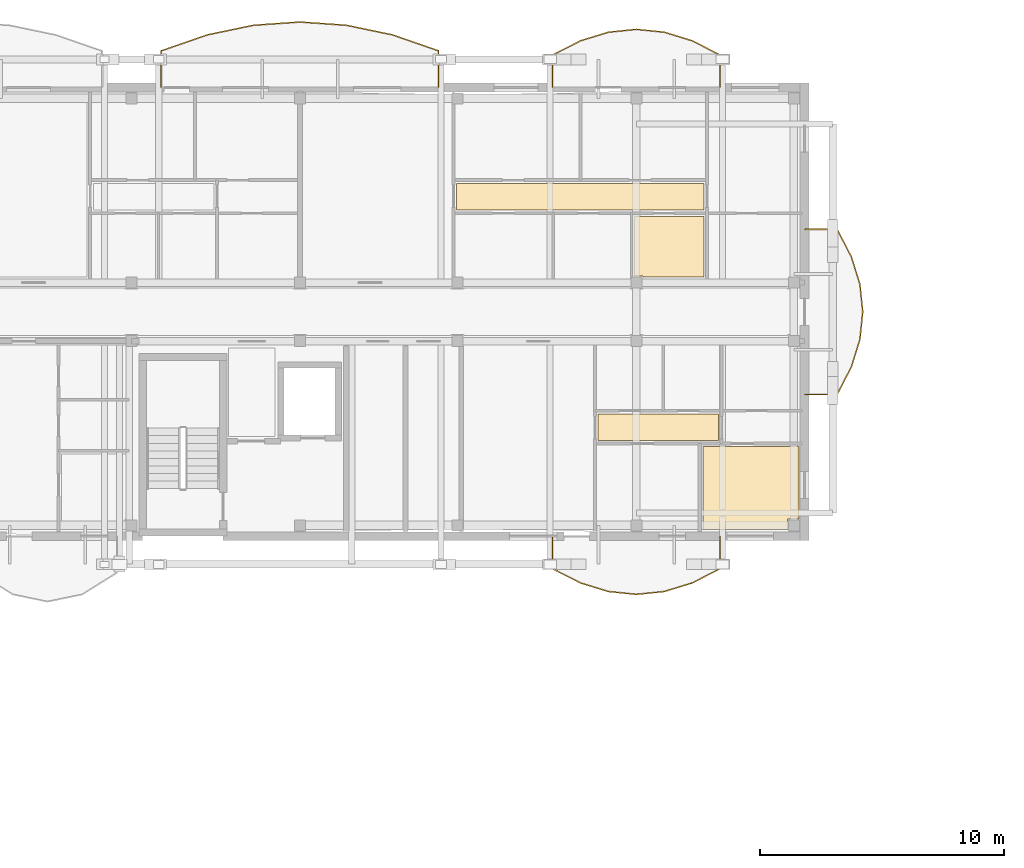
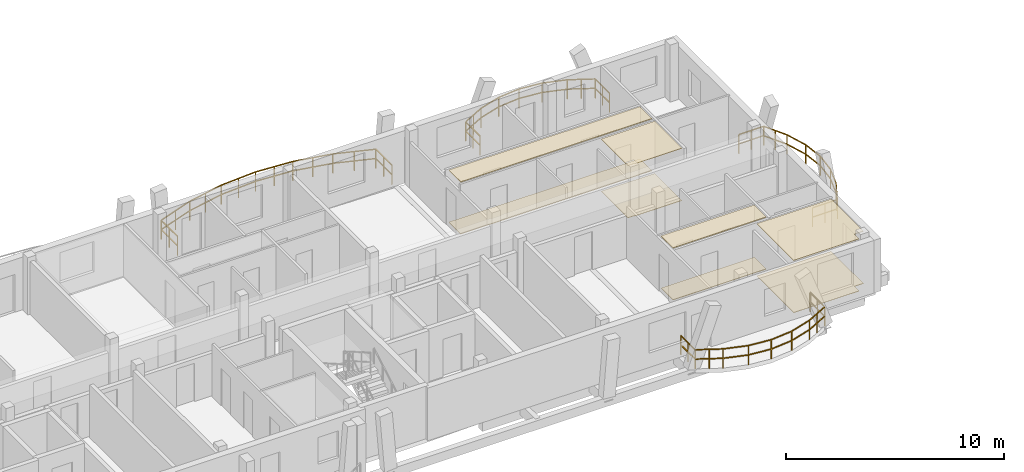
# One storey, part 43 of 48: 8 coverings, 4 railings.
"""IFC4 building model written with IfcOpenShell, lengths in metres."""

import ifcopenshell
import ifcopenshell.guid

model = None  # the IFC model being written
_history = None  # IfcOwnerHistory: only IFC2X3 demands one
_inside = {}  # id of a spatial element -> (the spatial element, [elements in it])
_under = {}  # id of a project, library or spatial element -> (it, [spatial elements below it])
_declared = {}  # id of a project -> (the project, [libraries it declares])
_typed = {}  # id of a type object -> (the type object, [elements of that type])
_made_of = {}  # id of a material, layer set ... -> (it, [elements and type objects made of it])


def new_model(schema):
    """Start an empty IFC model of exactly this schema.

    Asked for "IFC4X3", IfcOpenShell would pick the latest addendum, in which some entities
    have other attributes; the version numbers below select the first issue.
    IFC2X3 requires an IfcOwnerHistory on every rooted entity: one is made here for all.
    """
    global model, _history
    if schema == "IFC4X3":
        model = ifcopenshell.file(schema_version=(4, 3, 0, 0))
    else:
        model = ifcopenshell.file(schema=schema)
    _inside.clear()
    _under.clear()
    _declared.clear()
    _typed.clear()
    _made_of.clear()
    _history = None
    if model.schema == "IFC2X3":
        org = make("IfcOrganization", Name="unknown")
        user = make(
            "IfcPersonAndOrganization",
            ThePerson=make("IfcPerson", FamilyName="unknown"),
            TheOrganization=org,
        )
        app = make(
            "IfcApplication",
            ApplicationDeveloper=org,
            Version="unknown",
            ApplicationFullName="unknown",
            ApplicationIdentifier="unknown",
        )
        _history = make(
            "IfcOwnerHistory",
            OwningUser=user,
            OwningApplication=app,
            ChangeAction="ADDED",
            CreationDate=0,
        )
    return model


def make(cls, **values):
    """One entity of the class cls with the attributes given. An attribute that is None is left unset."""
    return model.create_entity(
        cls, **{name: value for name, value in values.items() if value is not None}
    )


def rooted(cls, **values):
    """An entity with a GlobalId (a new one), such as an element, a storey or a relation."""
    return make(cls, GlobalId=ifcopenshell.guid.new(), OwnerHistory=_history, **values)


def si_unit(unit_type, name, prefix=None):
    """IfcSIUnit, for example si_unit("LENGTHUNIT", "METRE", prefix="MILLI")."""
    return make("IfcSIUnit", UnitType=unit_type, Prefix=prefix, Name=name)


def assignment(units):
    """IfcUnitAssignment: the units of a project."""
    return None if units is None else make("IfcUnitAssignment", Units=units)


def point(xyz):
    """IfcCartesianPoint."""
    return None if xyz is None else make("IfcCartesianPoint", Coordinates=xyz)


def direction(xyz):
    """IfcDirection."""
    return None if xyz is None else make("IfcDirection", DirectionRatios=xyz)


def frame(location, z_axis=None, x_axis=None):
    """IfcAxis2Placement3D, a coordinate frame: its origin and axes. An axis left out is left unset."""
    return make(
        "IfcAxis2Placement3D",
        Location=point(location),
        Axis=direction(z_axis),
        RefDirection=direction(x_axis),
    )


def frame_2d(location, x_axis=None):
    """IfcAxis2Placement2D, a coordinate frame in the plane: its origin and x axis."""
    return make(
        "IfcAxis2Placement2D", Location=point(location), RefDirection=direction(x_axis)
    )


def origin():
    """The frame at (0, 0, 0) with its axes left unset."""
    return frame((0.0, 0.0, 0.0))


def origin_2d():
    """The frame at (0, 0) in the plane with its x axis left unset."""
    return frame_2d((0.0, 0.0))


def place(relative_to, where):
    """IfcLocalPlacement: puts the frame where relative to a parent placement (None: the world)."""
    return make(
        "IfcLocalPlacement", PlacementRelTo=relative_to, RelativePlacement=where
    )


def context(
    kind, dimensions, precision=None, world=None, true_north=None, identifier=None
):
    """IfcGeometricRepresentationContext, for example the 3D "Model" context."""
    return make(
        "IfcGeometricRepresentationContext",
        ContextIdentifier=identifier,
        ContextType=kind,
        CoordinateSpaceDimension=dimensions,
        Precision=precision,
        WorldCoordinateSystem=world,
        TrueNorth=true_north,
    )


def subcontext(parent, identifier, kind, view, scale=None):
    """IfcGeometricRepresentationSubContext, for example "Body" below "Model"."""
    return make(
        "IfcGeometricRepresentationSubContext",
        ContextIdentifier=identifier,
        ContextType=kind,
        ParentContext=parent,
        TargetScale=scale,
        TargetView=view,
    )


def project(units=None, contexts=None):
    """IfcProject with its units and contexts."""
    return rooted(
        "IfcProject",
        Name="project",
        RepresentationContexts=contexts,
        UnitsInContext=assignment(units),
    )


def spatial(cls, under=None, at=None, **own):
    """A site, building, storey or space (cls), placed at a placement, below another one or the project."""
    s = rooted(cls, ObjectPlacement=at, **own)
    if under is not None:
        _under.setdefault(under.id(), (under, []))[1].append(s)
    return s


def polyline(points):
    """IfcPolyline through the points."""
    return make("IfcPolyline", Points=[point(p) for p in points])


def profile(cls, at=None, kind="AREA", **sizes):
    """A parametric profile (cls). Its sizes go by their IFC names, for example OverallWidth=200.0."""
    return make(cls, ProfileType=kind, Position=at, **sizes)


def rectangle(**sizes):
    """IfcRectangleProfileDef."""
    return profile("IfcRectangleProfileDef", **sizes)


def outline(outer, holes=None, kind="AREA"):
    """IfcArbitraryClosedProfileDef: a profile drawn as a closed curve; with holes, ...WithVoids."""
    if holes is None:
        return make("IfcArbitraryClosedProfileDef", ProfileType=kind, OuterCurve=outer)
    return make(
        "IfcArbitraryProfileDefWithVoids",
        ProfileType=kind,
        OuterCurve=outer,
        InnerCurves=holes,
    )


def extrude(swept, where, along, depth):
    """IfcExtrudedAreaSolid: the profile swept, set in the frame where, extruded along a direction by depth."""
    return make(
        "IfcExtrudedAreaSolid",
        SweptArea=swept,
        Position=where,
        ExtrudedDirection=direction(along),
        Depth=depth,
    )


def shape(context_of_items, identifier, shape_type, items):
    """IfcShapeRepresentation: the items that make up one representation, for example the "Body"."""
    return make(
        "IfcShapeRepresentation",
        ContextOfItems=context_of_items,
        RepresentationIdentifier=identifier,
        RepresentationType=shape_type,
        Items=items,
    )


def material(Name=None, Category=None):
    """IfcMaterial."""
    return make("IfcMaterial", Name=Name, Category=Category)


def layer(
    of_material, thickness, ventilated=None, Name=None, Category=None, Priority=None
):
    """IfcMaterialLayer: one layer of a wall or slab, of a material (None: an air gap)."""
    return make(
        "IfcMaterialLayer",
        Material=of_material,
        LayerThickness=thickness,
        IsVentilated=ventilated,
        Name=Name,
        Category=Category,
        Priority=Priority,
    )


def layer_set(layers, Name=None):
    """IfcMaterialLayerSet."""
    return make("IfcMaterialLayerSet", MaterialLayers=layers, LayerSetName=Name)


def made_of(thing, what):
    """Note that an element or type object is made of a material, layer set ...; save() writes the relation."""
    if what is not None:
        _made_of.setdefault(what.id(), (what, []))[1].append(thing)
    return thing


def type_object(cls, material=None, **own):
    """A type object (cls), such as IfcWallType, which elements share."""
    return made_of(rooted(cls, **own), material)


def element(
    cls,
    number,
    at=None,
    inside=None,
    cuts=None,
    type_object=None,
    material=None,
    context=None,
    identifier="Body",
    shape_type=None,
    held_by="IfcProductDefinitionShape",
    body=None,
    shapes=None,
    **own,
):
    """One element of the class cls, such as IfcWall. Its Tag is "e" and its number.

    at: its placement. inside: the storey or other place that contains it. cuts: it is an
    opening in that element (IfcRelVoidsElement). A single representation is given by context,
    identifier, shape_type and body (its items); several are given by shapes. held_by: the class
    of the entity that holds the representations. save() writes the other relations.
    """
    e = rooted(cls, Tag="e%d" % number, ObjectPlacement=at, **own)
    if body is not None:
        shapes = [shape(context, identifier, shape_type, body)]
    if shapes is not None:
        e.Representation = make(held_by, Representations=shapes)
    if inside is not None:
        _inside.setdefault(inside.id(), (inside, []))[1].append(e)
    if cuts is not None:
        rooted(
            "IfcRelVoidsElement", RelatingBuildingElement=cuts, RelatedOpeningElement=e
        )
    if type_object is not None:
        _typed.setdefault(type_object.id(), (type_object, []))[1].append(e)
    return made_of(e, material)


def aggregate(whole, parts):
    """IfcRelAggregates: a whole, such as a stair, and the parts it consists of."""
    return rooted("IfcRelAggregates", RelatingObject=whole, RelatedObjects=parts)


def save(model, path):
    """Write the relations noted so far, then the file.

    IfcRelAggregates (storeys below a building ...), IfcRelContainedInSpatialStructure (elements
    in a storey), IfcRelDefinesByType, IfcRelAssociatesMaterial and IfcRelDeclares: one each for
    every whole, place, type object, material and project.
    """
    for whole, parts in _under.values():
        aggregate(whole, parts)
    for where, things in _inside.values():
        rooted(
            "IfcRelContainedInSpatialStructure",
            RelatedElements=things,
            RelatingStructure=where,
        )
    for kind, things in _typed.values():
        rooted("IfcRelDefinesByType", RelatedObjects=things, RelatingType=kind)
    for what, things in _made_of.values():
        rooted("IfcRelAssociatesMaterial", RelatedObjects=things, RelatingMaterial=what)
    for by, libraries in _declared.values():
        rooted("IfcRelDeclares", RelatingContext=by, RelatedDefinitions=libraries)
    model.write(path)


model = new_model("IFC4")

# Units and contexts
model_context = context("Model", 3, precision=1e-05, world=origin(), true_north=direction((0.0, 1.0)))
body_context = subcontext(model_context, "Body", "Model", "MODEL_VIEW")
ifc_project = project(units=[si_unit("LENGTHUNIT", "METRE"), si_unit("AREAUNIT", "SQUARE_METRE"), si_unit("VOLUMEUNIT", "CUBIC_METRE"), si_unit("PLANEANGLEUNIT", "RADIAN"), si_unit("MASSUNIT", "GRAM", prefix="KILO")], contexts=[model_context])

# Site, building, storey
site_placement = place(None, origin())
site = spatial("IfcSite", under=ifc_project, at=site_placement, CompositionType="ELEMENT")
building_placement = place(site_placement, origin())
building = spatial("IfcBuilding", under=site, at=building_placement, Name="Zavelmont Quarter", CompositionType="ELEMENT")
storey_placement = place(building_placement, frame((0.0, 0.0, 17.60009765625)))
storey = spatial("IfcBuildingStorey", under=building, at=storey_placement, Name="L05", CompositionType="ELEMENT", Elevation=17.60009765625)

# Coverings
ifc_material_1 = material(Name="Perforated acoustic gypsum board")
ifc_layer_1 = layer(ifc_material_1, 0.02490234375)
ifc_layer_set_1 = layer_set([ifc_layer_1], Name="Perforated acoustic gypsum board")
covering_type_1 = type_object("IfcCoveringType", Name="CV-CL01", PredefinedType="CEILING", material=ifc_layer_set_1)
covering_1_placement = place(storey_placement, frame((0.0, 0.0, 2.9248046875)))
element("IfcCovering", 1, at=covering_1_placement, inside=storey, type_object=covering_type_1, Name="L05 Utility Laundry acoustic ceiling", PredefinedType="CEILING", context=body_context, shape_type="SweptSolid", body=[
    extrude(outline(polyline([(48.22998046875, 110.719970703125), (51.070068359375, 110.719970703125), (51.070068359375, 108.22998046875), (48.56494140625, 108.22998046875), (48.56494140625, 108.264892578125), (48.22998046875, 108.264892578125), (48.22998046875, 110.719970703125)])), origin(), (0.0, 0.0, 1.0), 0.025146484375),
])
covering_2_placement = place(storey_placement, frame((0.0, 0.0, 2.9248046875)))
element("IfcCovering", 2, at=covering_2_placement, inside=storey, type_object=covering_type_1, Name="L05 Double Bedroom acoustic ceiling", PredefinedType="CEILING", context=body_context, shape_type="SweptSolid", body=[
    extrude(outline(polyline([(51.030029296875, 101.27001953125), (54.969970703125, 101.27001953125), (54.969970703125, 98.304931640625), (54.4951171875, 98.304931640625), (54.4951171875, 97.8798828125), (51.030029296875, 97.8798828125), (51.030029296875, 101.27001953125)])), origin(), (0.0, 0.0, 1.0), 0.025146484375),
])
ifc_material_2 = material(Name="Slatted European ash acoustic baffle ceiling")
ifc_layer_2 = layer(ifc_material_2, 0.0400390625)
ifc_layer_set_2 = layer_set([ifc_layer_2], Name="Slatted European ash acoustic baffle ceiling")
covering_type_2 = type_object("IfcCoveringType", Name="CV-CL02", PredefinedType="CEILING", material=ifc_layer_set_2)
covering_3_placement = place(storey_placement, frame((0.0, 0.0, 2.909912109375)))
element("IfcCovering", 3, at=covering_3_placement, inside=storey, type_object=covering_type_2, Name="L05 Apartment Hall acoustic ceiling", PredefinedType="CEILING", context=body_context, shape_type="SweptSolid", body=[
    extrude(outline(polyline([(40.929931640625, 112.070068359375), (51.070068359375, 112.070068359375), (51.070068359375, 110.97998046875), (40.929931640625, 110.97998046875), (40.929931640625, 112.070068359375)])), origin(), (0.0, 0.0, 1.0), 0.0400390625),
])
covering_4_placement = place(storey_placement, frame((0.0, 0.0, 2.909912109375)))
element("IfcCovering", 4, at=covering_4_placement, inside=storey, type_object=covering_type_2, Name="L05 Apartment Hall acoustic ceiling", PredefinedType="CEILING", context=body_context, shape_type="SweptSolid", body=[
    extrude(outline(polyline([(46.72998046875, 102.6201171875), (51.669921875, 102.6201171875), (51.669921875, 101.530029296875), (46.72998046875, 101.530029296875), (46.72998046875, 102.6201171875)])), origin(), (0.0, 0.0, 1.0), 0.0400390625),
])
ifc_material_3 = material(Name="Engineered European oak parquet")
ifc_layer_3 = layer(ifc_material_3, 0.02197265625)
ifc_layer_set_3 = layer_set([ifc_layer_3], Name="Engineered European oak parquet")
covering_type_3 = type_object("IfcCoveringType", Name="CV-FL01", PredefinedType="FLOORING", material=ifc_layer_set_3)
covering_5_placement = place(storey_placement, origin())
element("IfcCovering", 5, at=covering_5_placement, inside=storey, type_object=covering_type_3, Name="L05 Utility Laundry floor finish", PredefinedType="FLOORING", context=body_context, shape_type="SweptSolid", body=[
    extrude(outline(polyline([(48.22998046875, 110.719970703125), (51.070068359375, 110.719970703125), (51.070068359375, 108.22998046875), (48.56494140625, 108.22998046875), (48.56494140625, 108.264892578125), (48.22998046875, 108.264892578125), (48.22998046875, 110.719970703125)])), origin(), (0.0, 0.0, 1.0), 0.02197265625),
])
covering_6_placement = place(storey_placement, origin())
element("IfcCovering", 6, at=covering_6_placement, inside=storey, type_object=covering_type_3, Name="L05 Double Bedroom floor finish", PredefinedType="FLOORING", context=body_context, shape_type="SweptSolid", body=[
    extrude(outline(polyline([(51.030029296875, 101.27001953125), (54.969970703125, 101.27001953125), (54.969970703125, 98.304931640625), (54.4951171875, 98.304931640625), (54.4951171875, 97.8798828125), (51.030029296875, 97.8798828125), (51.030029296875, 101.27001953125)])), origin(), (0.0, 0.0, 1.0), 0.02197265625),
])
ifc_material_4 = material(Name="Honed Belgian bluestone tile", Category="masonry")
ifc_layer_4 = layer(ifc_material_4, 0.030029296875)
ifc_layer_set_4 = layer_set([ifc_layer_4], Name="Honed Belgian bluestone tile")
covering_type_4 = type_object("IfcCoveringType", Name="CV-FL02", PredefinedType="FLOORING", material=ifc_layer_set_4)
covering_7_placement = place(storey_placement, origin())
element("IfcCovering", 7, at=covering_7_placement, inside=storey, type_object=covering_type_4, Name="L05 Apartment Hall floor finish", PredefinedType="FLOORING", context=body_context, shape_type="SweptSolid", body=[
    extrude(outline(polyline([(40.929931640625, 112.070068359375), (51.070068359375, 112.070068359375), (51.070068359375, 110.97998046875), (40.929931640625, 110.97998046875), (40.929931640625, 112.070068359375)])), origin(), (0.0, 0.0, 1.0), 0.02978515625),
])
covering_8_placement = place(storey_placement, origin())
element("IfcCovering", 8, at=covering_8_placement, inside=storey, type_object=covering_type_4, Name="L05 Apartment Hall floor finish", PredefinedType="FLOORING", context=body_context, shape_type="SweptSolid", body=[
    extrude(outline(polyline([(46.72998046875, 102.6201171875), (51.669921875, 102.6201171875), (51.669921875, 101.530029296875), (46.72998046875, 101.530029296875), (46.72998046875, 102.6201171875)])), origin(), (0.0, 0.0, 1.0), 0.02978515625),
])

# Railings
ifc_material_5 = material(Name="Powder-coated steel and tempered double safety glass", Category="steel")
railing_type = type_object("IfcRailingType", Name="RL-BAL1", PredefinedType="BALUSTRADE", material=ifc_material_5)
railing_1_placement = place(storey_placement, frame((40.190673828125, 116.02001953125, 0.0)))
element("IfcRailing", 9, at=railing_1_placement, inside=storey, type_object=railing_type, Name="L05 Block B curved balcony guard RL-BAL1", PredefinedType="BALUSTRADE", context=body_context, shape_type="SweptSolid", body=[
    extrude(rectangle(XDim=0.048095703125, YDim=0.048095703125, at=origin_2d()), frame((0.0, 0.0, 1.076171875), z_axis=(0.0, 1.0, 0.0), x_axis=(-1.0, 0.0, 0.0)), (0.0, 0.0, 1.0), 1.487060546875),
    extrude(rectangle(XDim=0.048095703125, YDim=0.048095703125, at=origin_2d()), frame((0.0, 0.0, 0.550048828125), z_axis=(0.0, 1.0, 0.0), x_axis=(-1.0, 0.0, 0.0)), (0.0, 0.0, 1.0), 1.487060546875),
    extrude(rectangle(XDim=0.048095703125, YDim=0.048095703125, at=origin_2d()), frame((0.0, 1.487060546875, 1.076171875), z_axis=(-0.944821144825, 0.327586636314, 0.0), x_axis=(-0.327586636314, -0.944821144825, 0.0)), (0.0, 0.0, 1.0), 2.0078125),
    extrude(rectangle(XDim=0.048095703125, YDim=0.048095703125, at=origin_2d()), frame((0.0, 1.487060546875, 0.550048828125), z_axis=(-0.944821144825, 0.327586636314, 0.0), x_axis=(-0.327586636314, -0.944821144825, 0.0)), (0.0, 0.0, 1.0), 2.0078125),
    extrude(rectangle(XDim=0.048095703125, YDim=0.048095703125, at=origin_2d()), frame((-1.89697265625, 2.144775390625, 1.076171875), z_axis=(-0.979044324856, 0.203647268499, 0.0), x_axis=(-0.203647268499, -0.979044324856, 0.0)), (0.0, 0.0, 1.0), 1.937255859375),
    extrude(rectangle(XDim=0.048095703125, YDim=0.048095703125, at=origin_2d()), frame((-1.89697265625, 2.144775390625, 0.550048828125), z_axis=(-0.979044324856, 0.203647268499, 0.0), x_axis=(-0.203647268499, -0.979044324856, 0.0)), (0.0, 0.0, 1.0), 1.937255859375),
    extrude(rectangle(XDim=0.048095703125, YDim=0.048095703125, at=origin_2d()), frame((-3.793701171875, 2.539306640625, 1.076171875), z_axis=(-0.997602594269, 0.069203062846, 0.0), x_axis=(-0.069203062846, -0.997602594269, 0.0)), (0.0, 0.0, 1.0), 1.901611328125),
    extrude(rectangle(XDim=0.048095703125, YDim=0.048095703125, at=origin_2d()), frame((-3.793701171875, 2.539306640625, 0.550048828125), z_axis=(-0.997602594269, 0.069203062846, 0.0), x_axis=(-0.069203062846, -0.997602594269, 0.0)), (0.0, 0.0, 1.0), 1.901611328125),
    extrude(rectangle(XDim=0.048095703125, YDim=0.048095703125, at=origin_2d()), frame((-5.690673828125, 2.6708984375, 1.076171875), z_axis=(-0.997602594269, -0.069203062846, 0.0), x_axis=(0.069203062846, -0.997602594269, 0.0)), (0.0, 0.0, 1.0), 1.901611328125),
    extrude(rectangle(XDim=0.048095703125, YDim=0.048095703125, at=origin_2d()), frame((-5.690673828125, 2.6708984375, 0.550048828125), z_axis=(-0.997602594269, -0.069203062846, 0.0), x_axis=(0.069203062846, -0.997602594269, 0.0)), (0.0, 0.0, 1.0), 1.901611328125),
    extrude(rectangle(XDim=0.048095703125, YDim=0.048095703125, at=origin_2d()), frame((-7.587646484375, 2.539306640625, 1.076171875), z_axis=(-0.979044324856, -0.203647268499, 0.0), x_axis=(0.203647268499, -0.979044324856, 0.0)), (0.0, 0.0, 1.0), 1.937255859375),
    extrude(rectangle(XDim=0.048095703125, YDim=0.048095703125, at=origin_2d()), frame((-7.587646484375, 2.539306640625, 0.550048828125), z_axis=(-0.979044324856, -0.203647268499, 0.0), x_axis=(0.203647268499, -0.979044324856, 0.0)), (0.0, 0.0, 1.0), 1.937255859375),
    extrude(rectangle(XDim=0.048095703125, YDim=0.048095703125, at=origin_2d()), frame((-9.484375, 2.144775390625, 1.076171875), z_axis=(-0.944821144825, -0.327586636314, 0.0), x_axis=(0.327586636314, -0.944821144825, 0.0)), (0.0, 0.0, 1.0), 2.0078125),
    extrude(rectangle(XDim=0.048095703125, YDim=0.048095703125, at=origin_2d()), frame((-9.484375, 2.144775390625, 0.550048828125), z_axis=(-0.944821144825, -0.327586636314, 0.0), x_axis=(0.327586636314, -0.944821144825, 0.0)), (0.0, 0.0, 1.0), 2.0078125),
    extrude(rectangle(XDim=0.048095703125, YDim=0.048095703125, at=origin_2d()), frame((-11.38134765625, 1.487060546875, 1.076171875), z_axis=(0.0, -1.0, 0.0), x_axis=(1.0, 0.0, 0.0)), (0.0, 0.0, 1.0), 1.487060546875),
    extrude(rectangle(XDim=0.048095703125, YDim=0.048095703125, at=origin_2d()), frame((-11.38134765625, 1.487060546875, 0.550048828125), z_axis=(0.0, -1.0, 0.0), x_axis=(1.0, 0.0, 0.0)), (0.0, 0.0, 1.0), 1.487060546875),
    extrude(rectangle(XDim=0.0419921875, YDim=0.0419921875, at=origin_2d()), origin(), (0.0, 0.0, 1.0), 1.052001953125),
    extrude(rectangle(XDim=0.0419921875, YDim=0.0419921875, at=origin_2d()), frame((0.0, 0.74365234375, 0.0)), (0.0, 0.0, 1.0), 1.052001953125),
    extrude(rectangle(XDim=0.0419921875, YDim=0.0419921875, at=origin_2d()), frame((0.0, 1.487060546875, 0.0)), (0.0, 0.0, 1.0), 1.052001953125),
    extrude(rectangle(XDim=0.0419921875, YDim=0.0419921875, at=origin_2d()), frame((-0.948486328125, 1.81591796875, 0.0)), (0.0, 0.0, 1.0), 1.052001953125),
    extrude(rectangle(XDim=0.0419921875, YDim=0.0419921875, at=origin_2d()), frame((-1.89697265625, 2.144775390625, 0.0)), (0.0, 0.0, 1.0), 1.052001953125),
    extrude(rectangle(XDim=0.0419921875, YDim=0.0419921875, at=origin_2d()), frame((-2.84521484375, 2.342041015625, 0.0)), (0.0, 0.0, 1.0), 1.052001953125),
    extrude(rectangle(XDim=0.0419921875, YDim=0.0419921875, at=origin_2d()), frame((-3.793701171875, 2.539306640625, 0.0)), (0.0, 0.0, 1.0), 1.052001953125),
    extrude(rectangle(XDim=0.0419921875, YDim=0.0419921875, at=origin_2d()), frame((-4.7421875, 2.60498046875, 0.0)), (0.0, 0.0, 1.0), 1.052001953125),
    extrude(rectangle(XDim=0.0419921875, YDim=0.0419921875, at=origin_2d()), frame((-5.690673828125, 2.6708984375, 0.0)), (0.0, 0.0, 1.0), 1.052001953125),
    extrude(rectangle(XDim=0.0419921875, YDim=0.0419921875, at=origin_2d()), frame((-6.63916015625, 2.60498046875, 0.0)), (0.0, 0.0, 1.0), 1.052001953125),
    extrude(rectangle(XDim=0.0419921875, YDim=0.0419921875, at=origin_2d()), frame((-7.587646484375, 2.539306640625, 0.0)), (0.0, 0.0, 1.0), 1.052001953125),
    extrude(rectangle(XDim=0.0419921875, YDim=0.0419921875, at=origin_2d()), frame((-8.5361328125, 2.342041015625, 0.0)), (0.0, 0.0, 1.0), 1.052001953125),
    extrude(rectangle(XDim=0.0419921875, YDim=0.0419921875, at=origin_2d()), frame((-9.484375, 2.144775390625, 0.0)), (0.0, 0.0, 1.0), 1.052001953125),
    extrude(rectangle(XDim=0.0419921875, YDim=0.0419921875, at=origin_2d()), frame((-10.432861328125, 1.81591796875, 0.0)), (0.0, 0.0, 1.0), 1.052001953125),
    extrude(rectangle(XDim=0.0419921875, YDim=0.0419921875, at=origin_2d()), frame((-11.38134765625, 1.487060546875, 0.0)), (0.0, 0.0, 1.0), 1.052001953125),
    extrude(rectangle(XDim=0.0419921875, YDim=0.0419921875, at=origin_2d()), frame((-11.38134765625, 0.74365234375, 0.0)), (0.0, 0.0, 1.0), 1.052001953125),
    extrude(rectangle(XDim=0.0419921875, YDim=0.0419921875, at=origin_2d()), frame((-11.38134765625, 0.0, 0.0)), (0.0, 0.0, 1.0), 1.052001953125),
])
railing_2_placement = place(storey_placement, frame((51.733642578125, 116.02001953125, 0.0)))
element("IfcRailing", 10, at=railing_2_placement, inside=storey, type_object=railing_type, Name="L05 Block B curved balcony guard RL-BAL1", PredefinedType="BALUSTRADE", context=body_context, shape_type="SweptSolid", body=[
    extrude(rectangle(XDim=0.048095703125, YDim=0.048095703125, at=origin_2d()), frame((0.0, 0.0, 1.076171875), z_axis=(0.0, 1.0, 0.0), x_axis=(-1.0, 0.0, 0.0)), (0.0, 0.0, 1.0), 1.318359375),
    extrude(rectangle(XDim=0.048095703125, YDim=0.048095703125, at=origin_2d()), frame((0.0, 0.0, 0.550048828125), z_axis=(0.0, 1.0, 0.0), x_axis=(-1.0, 0.0, 0.0)), (0.0, 0.0, 1.0), 1.318359375),
    extrude(rectangle(XDim=0.048095703125, YDim=0.048095703125, at=origin_2d()), frame((0.0, 1.318359375, 1.076171875), z_axis=(-0.890672382676, 0.454645693631, 0.0), x_axis=(-0.454645693631, -0.890672382676, 0.0)), (0.0, 0.0, 1.0), 1.284912109375),
    extrude(rectangle(XDim=0.048095703125, YDim=0.048095703125, at=origin_2d()), frame((0.0, 1.318359375, 0.550048828125), z_axis=(-0.890672382676, 0.454645693631, 0.0), x_axis=(-0.454645693631, -0.890672382676, 0.0)), (0.0, 0.0, 1.0), 1.284912109375),
    extrude(rectangle(XDim=0.048095703125, YDim=0.048095703125, at=origin_2d()), frame((-1.14453125, 1.902587890625, 1.076171875), z_axis=(-0.956148679849, 0.292881720193, 0.0), x_axis=(-0.292881720193, -0.956148679849, 0.0)), (0.0, 0.0, 1.0), 1.197021484375),
    extrude(rectangle(XDim=0.048095703125, YDim=0.048095703125, at=origin_2d()), frame((-1.14453125, 1.902587890625, 0.550048828125), z_axis=(-0.956148679849, 0.292881720193, 0.0), x_axis=(-0.292881720193, -0.956148679849, 0.0)), (0.0, 0.0, 1.0), 1.197021484375),
    extrude(rectangle(XDim=0.048095703125, YDim=0.048095703125, at=origin_2d()), frame((-2.2890625, 2.253173828125, 1.076171875), z_axis=(-0.99484201214, 0.101436536221, 0.0), x_axis=(-0.101436536221, -0.99484201214, 0.0)), (0.0, 0.0, 1.0), 1.150390625),
    extrude(rectangle(XDim=0.048095703125, YDim=0.048095703125, at=origin_2d()), frame((-2.2890625, 2.253173828125, 0.550048828125), z_axis=(-0.99484201214, 0.101436536221, 0.0), x_axis=(-0.101436536221, -0.99484201214, 0.0)), (0.0, 0.0, 1.0), 1.150390625),
    extrude(rectangle(XDim=0.048095703125, YDim=0.048095703125, at=origin_2d()), frame((-3.43359375, 2.369873046875, 1.076171875), z_axis=(-0.99484201214, -0.101436536221, 0.0), x_axis=(0.101436536221, -0.99484201214, 0.0)), (0.0, 0.0, 1.0), 1.150390625),
    extrude(rectangle(XDim=0.048095703125, YDim=0.048095703125, at=origin_2d()), frame((-3.43359375, 2.369873046875, 0.550048828125), z_axis=(-0.99484201214, -0.101436536221, 0.0), x_axis=(0.101436536221, -0.99484201214, 0.0)), (0.0, 0.0, 1.0), 1.150390625),
    extrude(rectangle(XDim=0.048095703125, YDim=0.048095703125, at=origin_2d()), frame((-4.578125, 2.253173828125, 1.076171875), z_axis=(-0.956148679849, -0.292881720193, 0.0), x_axis=(0.292881720193, -0.956148679849, 0.0)), (0.0, 0.0, 1.0), 1.197021484375),
    extrude(rectangle(XDim=0.048095703125, YDim=0.048095703125, at=origin_2d()), frame((-4.578125, 2.253173828125, 0.550048828125), z_axis=(-0.956148679849, -0.292881720193, 0.0), x_axis=(0.292881720193, -0.956148679849, 0.0)), (0.0, 0.0, 1.0), 1.197021484375),
    extrude(rectangle(XDim=0.048095703125, YDim=0.048095703125, at=origin_2d()), frame((-5.72265625, 1.902587890625, 1.076171875), z_axis=(-0.890711644125, -0.454568770397, 0.0), x_axis=(0.454568770397, -0.890711644125, 0.0)), (0.0, 0.0, 1.0), 1.28515625),
    extrude(rectangle(XDim=0.048095703125, YDim=0.048095703125, at=origin_2d()), frame((-5.72265625, 1.902587890625, 0.550048828125), z_axis=(-0.890711644125, -0.454568770397, 0.0), x_axis=(0.454568770397, -0.890711644125, 0.0)), (0.0, 0.0, 1.0), 1.28515625),
    extrude(rectangle(XDim=0.048095703125, YDim=0.048095703125, at=origin_2d()), frame((-6.867431640625, 1.318359375, 1.076171875), z_axis=(0.0, -1.0, 0.0), x_axis=(1.0, 0.0, 0.0)), (0.0, 0.0, 1.0), 1.318359375),
    extrude(rectangle(XDim=0.048095703125, YDim=0.048095703125, at=origin_2d()), frame((-6.867431640625, 1.318359375, 0.550048828125), z_axis=(0.0, -1.0, 0.0), x_axis=(1.0, 0.0, 0.0)), (0.0, 0.0, 1.0), 1.318359375),
    extrude(rectangle(XDim=0.0419921875, YDim=0.0419921875, at=origin_2d()), origin(), (0.0, 0.0, 1.0), 1.052001953125),
    extrude(rectangle(XDim=0.0419921875, YDim=0.0419921875, at=origin_2d()), frame((0.0, 0.6591796875, 0.0)), (0.0, 0.0, 1.0), 1.052001953125),
    extrude(rectangle(XDim=0.0419921875, YDim=0.0419921875, at=origin_2d()), frame((0.0, 1.318359375, 0.0)), (0.0, 0.0, 1.0), 1.052001953125),
    extrude(rectangle(XDim=0.0419921875, YDim=0.0419921875, at=origin_2d()), frame((-0.572265625, 1.6103515625, 0.0)), (0.0, 0.0, 1.0), 1.052001953125),
    extrude(rectangle(XDim=0.0419921875, YDim=0.0419921875, at=origin_2d()), frame((-1.14453125, 1.902587890625, 0.0)), (0.0, 0.0, 1.0), 1.052001953125),
    extrude(rectangle(XDim=0.0419921875, YDim=0.0419921875, at=origin_2d()), frame((-2.2890625, 2.253173828125, 0.0)), (0.0, 0.0, 1.0), 1.052001953125),
    extrude(rectangle(XDim=0.0419921875, YDim=0.0419921875, at=origin_2d()), frame((-3.43359375, 2.369873046875, 0.0)), (0.0, 0.0, 1.0), 1.052001953125),
    extrude(rectangle(XDim=0.0419921875, YDim=0.0419921875, at=origin_2d()), frame((-4.578125, 2.253173828125, 0.0)), (0.0, 0.0, 1.0), 1.052001953125),
    extrude(rectangle(XDim=0.0419921875, YDim=0.0419921875, at=origin_2d()), frame((-5.72265625, 1.902587890625, 0.0)), (0.0, 0.0, 1.0), 1.052001953125),
    extrude(rectangle(XDim=0.0419921875, YDim=0.0419921875, at=origin_2d()), frame((-6.294921875, 1.6103515625, 0.0)), (0.0, 0.0, 1.0), 1.052001953125),
    extrude(rectangle(XDim=0.0419921875, YDim=0.0419921875, at=origin_2d()), frame((-6.867431640625, 1.318359375, 0.0)), (0.0, 0.0, 1.0), 1.052001953125),
    extrude(rectangle(XDim=0.0419921875, YDim=0.0419921875, at=origin_2d()), frame((-6.867431640625, 0.6591796875, 0.0)), (0.0, 0.0, 1.0), 1.052001953125),
    extrude(rectangle(XDim=0.0419921875, YDim=0.0419921875, at=origin_2d()), frame((-6.867431640625, 0.0, 0.0)), (0.0, 0.0, 1.0), 1.052001953125),
])
railing_3_placement = place(storey_placement, frame((55.219970703125, 103.4130859375, 0.0)))
element("IfcRailing", 11, at=railing_3_placement, inside=storey, type_object=railing_type, Name="L05 Block B curved balcony guard RL-BAL1", PredefinedType="BALUSTRADE", context=body_context, shape_type="SweptSolid", body=[
    extrude(rectangle(XDim=0.048095703125, YDim=0.048095703125, at=origin_2d()), frame((0.0, 0.0, 1.076171875), z_axis=(1.0, 0.0, 0.0), x_axis=(0.0, 1.0, 0.0)), (0.0, 0.0, 1.0), 1.318359375),
    extrude(rectangle(XDim=0.048095703125, YDim=0.048095703125, at=origin_2d()), frame((0.0, 0.0, 0.550048828125), z_axis=(1.0, 0.0, 0.0), x_axis=(0.0, 1.0, 0.0)), (0.0, 0.0, 1.0), 1.318359375),
    extrude(rectangle(XDim=0.048095703125, YDim=0.048095703125, at=origin_2d()), frame((1.318359375, 0.0, 1.076171875), z_axis=(0.459616236179, 0.888117624778, 0.0), x_axis=(-0.888117624778, 0.459616236179, 0.0)), (0.0, 0.0, 1.0), 1.271240234375),
    extrude(rectangle(XDim=0.048095703125, YDim=0.048095703125, at=origin_2d()), frame((1.318359375, 0.0, 0.550048828125), z_axis=(0.459616236179, 0.888117624778, 0.0), x_axis=(-0.888117624778, 0.459616236179, 0.0)), (0.0, 0.0, 1.0), 1.271240234375),
    extrude(rectangle(XDim=0.048095703125, YDim=0.048095703125, at=origin_2d()), frame((1.902587890625, 1.12890625, 1.076171875), z_axis=(0.296581101725, 0.955007670178, 0.0), x_axis=(-0.955007670178, 0.296581101725, 0.0)), (0.0, 0.0, 1.0), 1.18212890625),
    extrude(rectangle(XDim=0.048095703125, YDim=0.048095703125, at=origin_2d()), frame((1.902587890625, 1.12890625, 0.550048828125), z_axis=(0.296581101725, 0.955007670178, 0.0), x_axis=(-0.955007670178, 0.296581101725, 0.0)), (0.0, 0.0, 1.0), 1.18212890625),
    extrude(rectangle(XDim=0.048095703125, YDim=0.048095703125, at=origin_2d()), frame((2.253173828125, 2.2578125, 1.076171875), z_axis=(0.103016551031, 0.994679642002, 0.0), x_axis=(-0.994679642002, 0.103016551031, 0.0)), (0.0, 0.0, 1.0), 1.13525390625),
    extrude(rectangle(XDim=0.048095703125, YDim=0.048095703125, at=origin_2d()), frame((2.253173828125, 2.2578125, 0.550048828125), z_axis=(0.103016551031, 0.994679642002, 0.0), x_axis=(-0.994679642002, 0.103016551031, 0.0)), (0.0, 0.0, 1.0), 1.13525390625),
    extrude(rectangle(XDim=0.048095703125, YDim=0.048095703125, at=origin_2d()), frame((2.3701171875, 3.386962890625, 1.076171875), z_axis=(-0.103038593191, 0.994677358903, 0.0), x_axis=(-0.994677358903, -0.103038593191, 0.0)), (0.0, 0.0, 1.0), 1.135009765625),
    extrude(rectangle(XDim=0.048095703125, YDim=0.048095703125, at=origin_2d()), frame((2.3701171875, 3.386962890625, 0.550048828125), z_axis=(-0.103038593191, 0.994677358903, 0.0), x_axis=(-0.994677358903, -0.103038593191, 0.0)), (0.0, 0.0, 1.0), 1.135009765625),
    extrude(rectangle(XDim=0.048095703125, YDim=0.048095703125, at=origin_2d()), frame((2.253173828125, 4.515869140625, 1.076171875), z_axis=(-0.296522614927, 0.955025831502, 0.0), x_axis=(-0.955025831502, -0.296522614927, 0.0)), (0.0, 0.0, 1.0), 1.182373046875),
    extrude(rectangle(XDim=0.048095703125, YDim=0.048095703125, at=origin_2d()), frame((2.253173828125, 4.515869140625, 0.550048828125), z_axis=(-0.296522614927, 0.955025831502, 0.0), x_axis=(-0.955025831502, -0.296522614927, 0.0)), (0.0, 0.0, 1.0), 1.182373046875),
    extrude(rectangle(XDim=0.048095703125, YDim=0.048095703125, at=origin_2d()), frame((1.902587890625, 5.64501953125, 1.076171875), z_axis=(-0.459616236179, 0.888117624778, 0.0), x_axis=(-0.888117624778, -0.459616236179, 0.0)), (0.0, 0.0, 1.0), 1.271240234375),
    extrude(rectangle(XDim=0.048095703125, YDim=0.048095703125, at=origin_2d()), frame((1.902587890625, 5.64501953125, 0.550048828125), z_axis=(-0.459616236179, 0.888117624778, 0.0), x_axis=(-0.888117624778, -0.459616236179, 0.0)), (0.0, 0.0, 1.0), 1.271240234375),
    extrude(rectangle(XDim=0.048095703125, YDim=0.048095703125, at=origin_2d()), frame((1.318359375, 6.77392578125, 1.076171875), z_axis=(-1.0, 0.0, 0.0), x_axis=(0.0, -1.0, 0.0)), (0.0, 0.0, 1.0), 1.318359375),
    extrude(rectangle(XDim=0.048095703125, YDim=0.048095703125, at=origin_2d()), frame((1.318359375, 6.77392578125, 0.550048828125), z_axis=(-1.0, 0.0, 0.0), x_axis=(0.0, -1.0, 0.0)), (0.0, 0.0, 1.0), 1.318359375),
    extrude(rectangle(XDim=0.0419921875, YDim=0.0419921875, at=origin_2d()), origin(), (0.0, 0.0, 1.0), 1.052001953125),
    extrude(rectangle(XDim=0.0419921875, YDim=0.0419921875, at=origin_2d()), frame((0.6591796875, 0.0, 0.0)), (0.0, 0.0, 1.0), 1.052001953125),
    extrude(rectangle(XDim=0.0419921875, YDim=0.0419921875, at=origin_2d()), frame((1.318359375, 0.0, 0.0)), (0.0, 0.0, 1.0), 1.052001953125),
    extrude(rectangle(XDim=0.0419921875, YDim=0.0419921875, at=origin_2d()), frame((1.6103515625, 0.564453125, 0.0)), (0.0, 0.0, 1.0), 1.052001953125),
    extrude(rectangle(XDim=0.0419921875, YDim=0.0419921875, at=origin_2d()), frame((1.902587890625, 1.12890625, 0.0)), (0.0, 0.0, 1.0), 1.052001953125),
    extrude(rectangle(XDim=0.0419921875, YDim=0.0419921875, at=origin_2d()), frame((2.253173828125, 2.2578125, 0.0)), (0.0, 0.0, 1.0), 1.052001953125),
    extrude(rectangle(XDim=0.0419921875, YDim=0.0419921875, at=origin_2d()), frame((2.3701171875, 3.386962890625, 0.0)), (0.0, 0.0, 1.0), 1.052001953125),
    extrude(rectangle(XDim=0.0419921875, YDim=0.0419921875, at=origin_2d()), frame((2.253173828125, 4.515869140625, 0.0)), (0.0, 0.0, 1.0), 1.052001953125),
    extrude(rectangle(XDim=0.0419921875, YDim=0.0419921875, at=origin_2d()), frame((1.902587890625, 5.64501953125, 0.0)), (0.0, 0.0, 1.0), 1.052001953125),
    extrude(rectangle(XDim=0.0419921875, YDim=0.0419921875, at=origin_2d()), frame((1.6103515625, 6.20947265625, 0.0)), (0.0, 0.0, 1.0), 1.052001953125),
    extrude(rectangle(XDim=0.0419921875, YDim=0.0419921875, at=origin_2d()), frame((1.318359375, 6.77392578125, 0.0)), (0.0, 0.0, 1.0), 1.052001953125),
    extrude(rectangle(XDim=0.0419921875, YDim=0.0419921875, at=origin_2d()), frame((0.6591796875, 6.77392578125, 0.0)), (0.0, 0.0, 1.0), 1.052001953125),
    extrude(rectangle(XDim=0.0419921875, YDim=0.0419921875, at=origin_2d()), frame((0.0, 6.77392578125, 0.0)), (0.0, 0.0, 1.0), 1.052001953125),
])
railing_4_placement = place(storey_placement, frame((44.8662109375, 97.580078125, 0.0)))
element("IfcRailing", 12, at=railing_4_placement, inside=storey, type_object=railing_type, Name="L05 Block B curved balcony guard RL-BAL1", PredefinedType="BALUSTRADE", context=body_context, shape_type="SweptSolid", body=[
    extrude(rectangle(XDim=0.048095703125, YDim=0.048095703125, at=origin_2d()), frame((0.0, 0.0, 1.076171875), z_axis=(0.0, -1.0, 0.0), x_axis=(1.0, 0.0, 0.0)), (0.0, 0.0, 1.0), 1.318359375),
    extrude(rectangle(XDim=0.048095703125, YDim=0.048095703125, at=origin_2d()), frame((0.0, 0.0, 0.550048828125), z_axis=(0.0, -1.0, 0.0), x_axis=(1.0, 0.0, 0.0)), (0.0, 0.0, 1.0), 1.318359375),
    extrude(rectangle(XDim=0.048095703125, YDim=0.048095703125, at=origin_2d()), frame((0.0, -1.318359375, 1.076171875), z_axis=(0.890711644125, -0.454568770397, 0.0), x_axis=(0.454568770397, 0.890711644125, 0.0)), (0.0, 0.0, 1.0), 1.28515625),
    extrude(rectangle(XDim=0.048095703125, YDim=0.048095703125, at=origin_2d()), frame((0.0, -1.318359375, 0.550048828125), z_axis=(0.890711644125, -0.454568770397, 0.0), x_axis=(0.454568770397, 0.890711644125, 0.0)), (0.0, 0.0, 1.0), 1.28515625),
    extrude(rectangle(XDim=0.048095703125, YDim=0.048095703125, at=origin_2d()), frame((1.144775390625, -1.902587890625, 1.076171875), z_axis=(0.956148679849, -0.292881720193, 0.0), x_axis=(0.292881720193, 0.956148679849, 0.0)), (0.0, 0.0, 1.0), 1.197021484375),
    extrude(rectangle(XDim=0.048095703125, YDim=0.048095703125, at=origin_2d()), frame((1.144775390625, -1.902587890625, 0.550048828125), z_axis=(0.956148679849, -0.292881720193, 0.0), x_axis=(0.292881720193, 0.956148679849, 0.0)), (0.0, 0.0, 1.0), 1.197021484375),
    extrude(rectangle(XDim=0.048095703125, YDim=0.048095703125, at=origin_2d()), frame((2.289306640625, -2.253173828125, 1.076171875), z_axis=(0.994820575583, -0.101646556251, 0.0), x_axis=(0.101646556251, 0.994820575583, 0.0)), (0.0, 0.0, 1.0), 1.150390625),
    extrude(rectangle(XDim=0.048095703125, YDim=0.048095703125, at=origin_2d()), frame((2.289306640625, -2.253173828125, 0.550048828125), z_axis=(0.994820575583, -0.101646556251, 0.0), x_axis=(0.101646556251, 0.994820575583, 0.0)), (0.0, 0.0, 1.0), 1.150390625),
    extrude(rectangle(XDim=0.048095703125, YDim=0.048095703125, at=origin_2d()), frame((3.433837890625, -2.3701171875, 1.076171875), z_axis=(0.994820575583, 0.101646556251, 0.0), x_axis=(-0.101646556251, 0.994820575583, 0.0)), (0.0, 0.0, 1.0), 1.150390625),
    extrude(rectangle(XDim=0.048095703125, YDim=0.048095703125, at=origin_2d()), frame((3.433837890625, -2.3701171875, 0.550048828125), z_axis=(0.994820575583, 0.101646556251, 0.0), x_axis=(-0.101646556251, 0.994820575583, 0.0)), (0.0, 0.0, 1.0), 1.150390625),
    extrude(rectangle(XDim=0.048095703125, YDim=0.048095703125, at=origin_2d()), frame((4.578369140625, -2.253173828125, 1.076171875), z_axis=(0.956148679849, 0.292881720193, 0.0), x_axis=(-0.292881720193, 0.956148679849, 0.0)), (0.0, 0.0, 1.0), 1.197021484375),
    extrude(rectangle(XDim=0.048095703125, YDim=0.048095703125, at=origin_2d()), frame((4.578369140625, -2.253173828125, 0.550048828125), z_axis=(0.956148679849, 0.292881720193, 0.0), x_axis=(-0.292881720193, 0.956148679849, 0.0)), (0.0, 0.0, 1.0), 1.197021484375),
    extrude(rectangle(XDim=0.048095703125, YDim=0.048095703125, at=origin_2d()), frame((5.722900390625, -1.902587890625, 1.076171875), z_axis=(0.890672382676, 0.454645693631, 0.0), x_axis=(-0.454645693631, 0.890672382676, 0.0)), (0.0, 0.0, 1.0), 1.284912109375),
    extrude(rectangle(XDim=0.048095703125, YDim=0.048095703125, at=origin_2d()), frame((5.722900390625, -1.902587890625, 0.550048828125), z_axis=(0.890672382676, 0.454645693631, 0.0), x_axis=(-0.454645693631, 0.890672382676, 0.0)), (0.0, 0.0, 1.0), 1.284912109375),
    extrude(rectangle(XDim=0.048095703125, YDim=0.048095703125, at=origin_2d()), frame((6.867431640625, -1.318359375, 1.076171875), z_axis=(0.0, 1.0, 0.0), x_axis=(-1.0, 0.0, 0.0)), (0.0, 0.0, 1.0), 1.318359375),
    extrude(rectangle(XDim=0.048095703125, YDim=0.048095703125, at=origin_2d()), frame((6.867431640625, -1.318359375, 0.550048828125), z_axis=(0.0, 1.0, 0.0), x_axis=(-1.0, 0.0, 0.0)), (0.0, 0.0, 1.0), 1.318359375),
    extrude(rectangle(XDim=0.0419921875, YDim=0.0419921875, at=origin_2d()), origin(), (0.0, 0.0, 1.0), 1.052001953125),
    extrude(rectangle(XDim=0.0419921875, YDim=0.0419921875, at=origin_2d()), frame((0.0, -0.6591796875, 0.0)), (0.0, 0.0, 1.0), 1.052001953125),
    extrude(rectangle(XDim=0.0419921875, YDim=0.0419921875, at=origin_2d()), frame((0.0, -1.318359375, 0.0)), (0.0, 0.0, 1.0), 1.052001953125),
    extrude(rectangle(XDim=0.0419921875, YDim=0.0419921875, at=origin_2d()), frame((0.572265625, -1.6103515625, 0.0)), (0.0, 0.0, 1.0), 1.052001953125),
    extrude(rectangle(XDim=0.0419921875, YDim=0.0419921875, at=origin_2d()), frame((1.144775390625, -1.902587890625, 0.0)), (0.0, 0.0, 1.0), 1.052001953125),
    extrude(rectangle(XDim=0.0419921875, YDim=0.0419921875, at=origin_2d()), frame((2.289306640625, -2.253173828125, 0.0)), (0.0, 0.0, 1.0), 1.052001953125),
    extrude(rectangle(XDim=0.0419921875, YDim=0.0419921875, at=origin_2d()), frame((3.433837890625, -2.3701171875, 0.0)), (0.0, 0.0, 1.0), 1.052001953125),
    extrude(rectangle(XDim=0.0419921875, YDim=0.0419921875, at=origin_2d()), frame((4.578369140625, -2.253173828125, 0.0)), (0.0, 0.0, 1.0), 1.052001953125),
    extrude(rectangle(XDim=0.0419921875, YDim=0.0419921875, at=origin_2d()), frame((5.722900390625, -1.902587890625, 0.0)), (0.0, 0.0, 1.0), 1.052001953125),
    extrude(rectangle(XDim=0.0419921875, YDim=0.0419921875, at=origin_2d()), frame((6.295166015625, -1.6103515625, 0.0)), (0.0, 0.0, 1.0), 1.052001953125),
    extrude(rectangle(XDim=0.0419921875, YDim=0.0419921875, at=origin_2d()), frame((6.867431640625, -1.318359375, 0.0)), (0.0, 0.0, 1.0), 1.052001953125),
    extrude(rectangle(XDim=0.0419921875, YDim=0.0419921875, at=origin_2d()), frame((6.867431640625, -0.6591796875, 0.0)), (0.0, 0.0, 1.0), 1.052001953125),
    extrude(rectangle(XDim=0.0419921875, YDim=0.0419921875, at=origin_2d()), frame((6.867431640625, 0.0, 0.0)), (0.0, 0.0, 1.0), 1.052001953125),
])

save(model, "model.ifc")
